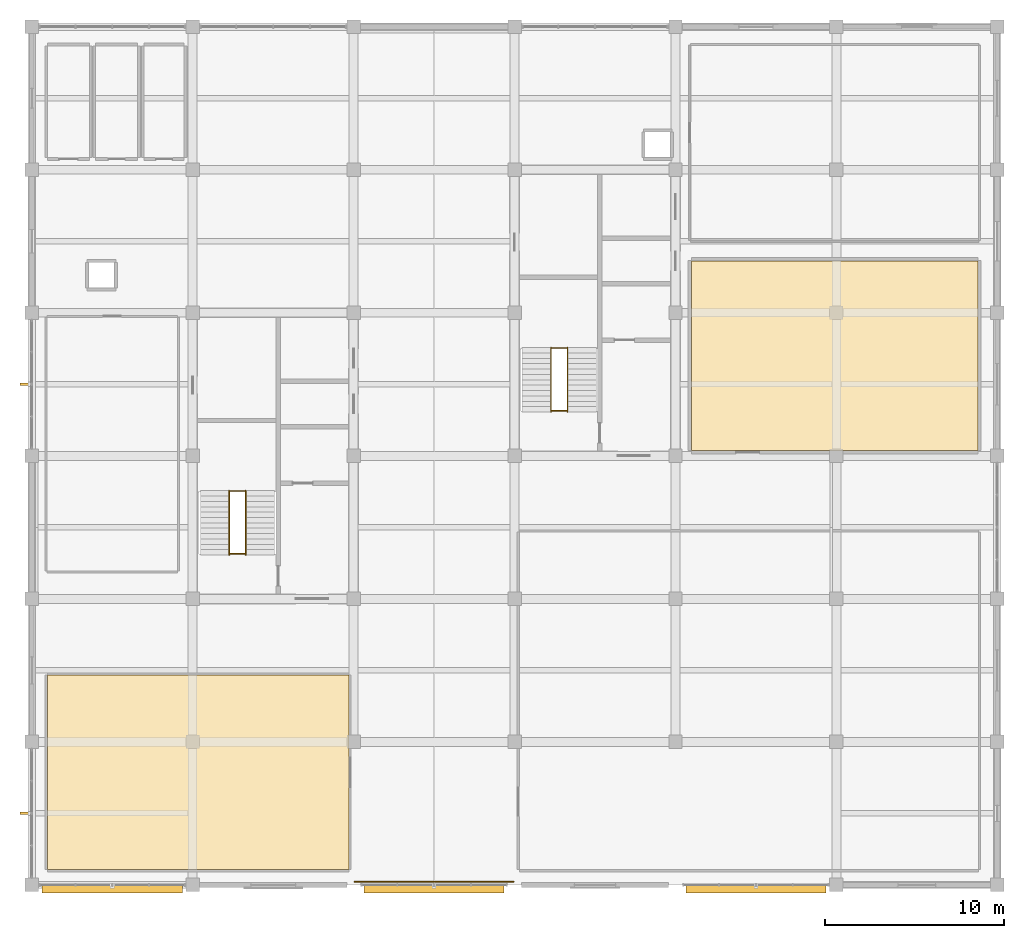
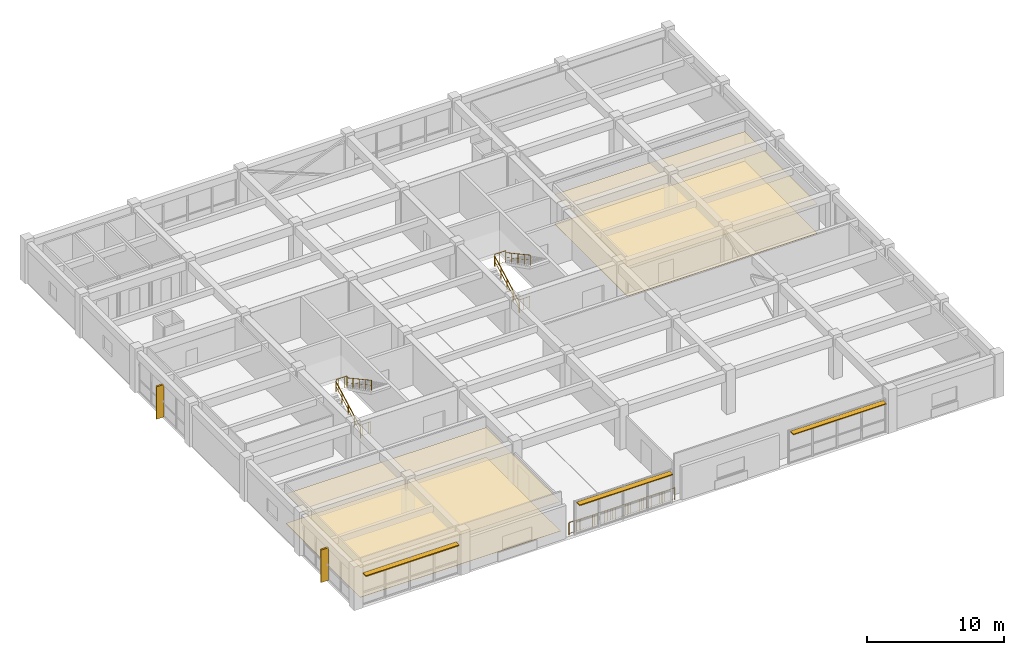
# One storey, part 15 of 15: 9 railings, 5 shading devices, 4 coverings.
"""IFC4 building model written with IfcOpenShell, lengths in metres."""

from ifc_helpers import new_model, si_unit, direction, frame, frame_2d, origin, origin_2d, place, context, subcontext, project, spatial, polyline, rectangle, circle, outline, extrude, material, layer, layer_set, type_object, element, save


model = new_model("IFC4")

# Units and contexts
model_context = context("Model", 3, precision=1e-05, world=origin(), true_north=direction((0.0, 1.0)))
body_context = subcontext(model_context, "Body", "Model", "MODEL_VIEW")
ifc_project = project(units=[si_unit("LENGTHUNIT", "METRE"), si_unit("AREAUNIT", "SQUARE_METRE"), si_unit("VOLUMEUNIT", "CUBIC_METRE"), si_unit("PLANEANGLEUNIT", "RADIAN"), si_unit("MASSUNIT", "GRAM", prefix="KILO")], contexts=[model_context])

# Site, building, storey
site_placement = place(None, origin())
site = spatial("IfcSite", under=ifc_project, at=site_placement, CompositionType="ELEMENT")
building_placement = place(site_placement, origin())
building = spatial("IfcBuilding", under=site, at=building_placement, Name="Zaverband Oceanarium and Marine Research Institute", CompositionType="ELEMENT")
storey_placement = place(building_placement, frame((0.0, 0.0, 49.199951171875)))
storey = spatial("IfcBuildingStorey", under=building, at=storey_placement, Name="L12", CompositionType="ELEMENT", Elevation=49.199951171875)

# Coverings
ifc_material_1 = material(Name="Perforated mineral-fibre acoustic ceiling tile")
ifc_layer_1 = layer(ifc_material_1, 0.02490234375, Name="Perforated mineral-fibre acoustic ceiling tile")
ifc_layer_set_1 = layer_set([ifc_layer_1], Name="Perforated mineral-fibre acoustic ceiling tile")
covering_type_1 = type_object("IfcCoveringType", Name="CLG-AC-15", PredefinedType="CEILING", material=ifc_layer_set_1)
covering_1_placement = place(storey_placement, frame((0.0, 0.0, 2.630126953125)))
element("IfcCovering", 1, at=covering_1_placement, inside=storey, type_object=covering_type_1, Name="Suspended acoustic ceiling CLG-AC-15", PredefinedType="CEILING", context=body_context, shape_type="SweptSolid", body=[
    extrude(outline(polyline([(9.864990234375, 64.864990234375), (26.735107421875, 64.864990234375), (26.735107421875, 75.735107421875), (9.864990234375, 75.735107421875), (9.864990234375, 64.864990234375)])), origin(), (0.0, 0.0, 1.0), 0.02490234375),
])
covering_2_placement = place(storey_placement, frame((0.0, 0.0, 2.630126953125)))
element("IfcCovering", 2, at=covering_2_placement, inside=storey, type_object=covering_type_1, Name="Suspended acoustic ceiling CLG-AC-15", PredefinedType="CEILING", context=body_context, shape_type="SweptSolid", body=[
    extrude(outline(polyline([(45.889892578125, 88.2900390625), (61.909912109375, 88.2900390625), (61.909912109375, 98.909912109375), (45.889892578125, 98.909912109375), (45.889892578125, 88.2900390625)])), origin(), (0.0, 0.0, 1.0), 0.02490234375),
])
ifc_material_2 = material(Name="Polished marine terrazzo and seamless laboratory epoxy flooring")
ifc_layer_2 = layer(ifc_material_2, 0.02490234375, Name="Polished marine terrazzo and seamless laboratory epoxy flooring")
ifc_layer_set_2 = layer_set([ifc_layer_2], Name="Polished marine terrazzo and seamless laboratory epoxy flooring")
covering_type_2 = type_object("IfcCoveringType", Name="FLR-TRZ-20", PredefinedType="FLOORING", material=ifc_layer_set_2)
covering_3_placement = place(storey_placement, origin())
element("IfcCovering", 3, at=covering_3_placement, inside=storey, type_object=covering_type_2, Name="Terrazzo and marine epoxy floor finish FLR-TRZ-20", PredefinedType="FLOORING", context=body_context, shape_type="SweptSolid", body=[
    extrude(outline(polyline([(9.864990234375, 64.864990234375), (26.735107421875, 64.864990234375), (26.735107421875, 75.735107421875), (9.864990234375, 75.735107421875), (9.864990234375, 64.864990234375)])), origin(), (0.0, 0.0, 1.0), 0.025146484375),
])
covering_4_placement = place(storey_placement, origin())
element("IfcCovering", 4, at=covering_4_placement, inside=storey, type_object=covering_type_2, Name="Terrazzo and marine epoxy floor finish FLR-TRZ-20", PredefinedType="FLOORING", context=body_context, shape_type="SweptSolid", body=[
    extrude(outline(polyline([(45.889892578125, 88.2900390625), (61.909912109375, 88.2900390625), (61.909912109375, 98.909912109375), (45.889892578125, 98.909912109375), (45.889892578125, 88.2900390625)])), origin(), (0.0, 0.0, 1.0), 0.025146484375),
])

# Railings
ifc_material_3 = material(Name="Steel S355", Category="steel")
ifc_layer_3 = layer(ifc_material_3, 0.06005859375, Name="Steel S355")
ifc_layer_set_3 = layer_set([ifc_layer_3], Name="Steel S355")
railing_type_1 = type_object("IfcRailingType", Name="GRD-1100", PredefinedType="BALUSTRADE", material=ifc_layer_set_3)
for number, where, name in (
    (5, (20.0400390625, 86.030029296875, 1.949951171875), "1100 mm steel post-and-baluster safety guard GRD-1100"),
    (6, (20.0400390625, 82.530029296875, 0.0), "1100 mm steel post-and-baluster safety guard GRD-1100"),
    (7, (38.0400390625, 94.030029296875, 1.949951171875), "1100 mm steel post-and-baluster safety guard GRD-1100"),
    (8, (38.0400390625, 90.530029296875, 0.0), "1100 mm steel post-and-baluster safety guard GRD-1100"),
):
    element("IfcRailing", number, at=place(storey_placement, frame(where)), inside=storey, type_object=railing_type_1, Name=name, PredefinedType="BALUSTRADE", context=body_context, shape_type="SweptSolid", body=[
        extrude(circle(Radius=0.02392578125, at=origin_2d()), frame((0.0, 0.0, 1.076171875), z_axis=(1.0, 0.0, 0.0), x_axis=(0.0, 1.0, 0.0)), (0.0, 0.0, 1.0), 0.919921875),
        extrude(circle(Radius=0.009033203125, at=origin_2d()), frame((0.0, 0.0, 0.10009765625), z_axis=(1.0, 0.0, 0.0), x_axis=(0.0, 1.0, 0.0)), (0.0, 0.0, 1.0), 0.919921875),
        extrude(circle(Radius=0.009033203125, at=origin_2d()), frame((0.18408203125, 0.0, 0.10009765625)), (0.0, 0.0, 1.0), 0.951904296875),
        extrude(circle(Radius=0.009033203125, at=origin_2d()), frame((0.367919921875, 0.0, 0.10009765625)), (0.0, 0.0, 1.0), 0.951904296875),
        extrude(circle(Radius=0.009033203125, at=origin_2d()), frame((0.552001953125, 0.0, 0.10009765625)), (0.0, 0.0, 1.0), 0.951904296875),
        extrude(circle(Radius=0.009033203125, at=origin_2d()), frame((0.73583984375, 0.0, 0.10009765625)), (0.0, 0.0, 1.0), 0.951904296875),
        extrude(circle(Radius=0.02099609375, at=origin_2d()), origin(), (0.0, 0.0, 1.0), 1.052001953125),
        extrude(circle(Radius=0.02099609375, at=origin_2d()), frame((0.919921875, 0.0, 0.0)), (0.0, 0.0, 1.0), 1.052001953125),
    ])
railing_1_placement = place(storey_placement, frame((27.050048828125, 64.179931640625, 0.0)))
element("IfcRailing", 9, at=railing_1_placement, inside=storey, type_object=railing_type_1, Name="1100 mm steel post-and-baluster safety guard GRD-1100", PredefinedType="BALUSTRADE", context=body_context, shape_type="SweptSolid", body=[
    extrude(circle(Radius=0.02392578125, at=origin_2d()), frame((0.0, 0.0, 1.076171875), z_axis=(1.0, 0.0, 0.0), x_axis=(0.0, 1.0, 0.0)), (0.0, 0.0, 1.0), 8.89990234375),
    extrude(circle(Radius=0.009033203125, at=origin_2d()), frame((0.0, 0.0, 0.10009765625), z_axis=(1.0, 0.0, 0.0), x_axis=(0.0, 1.0, 0.0)), (0.0, 0.0, 1.0), 8.89990234375),
    extrude(circle(Radius=0.009033203125, at=origin_2d()), frame((0.217041015625, 0.0, 0.10009765625)), (0.0, 0.0, 1.0), 0.951904296875),
    extrude(circle(Radius=0.009033203125, at=origin_2d()), frame((0.43408203125, 0.0, 0.10009765625)), (0.0, 0.0, 1.0), 0.951904296875),
    extrude(circle(Radius=0.009033203125, at=origin_2d()), frame((0.651123046875, 0.0, 0.10009765625)), (0.0, 0.0, 1.0), 0.951904296875),
    extrude(circle(Radius=0.009033203125, at=origin_2d()), frame((0.8681640625, 0.0, 0.10009765625)), (0.0, 0.0, 1.0), 0.951904296875),
    extrude(circle(Radius=0.009033203125, at=origin_2d()), frame((1.08544921875, 0.0, 0.10009765625)), (0.0, 0.0, 1.0), 0.951904296875),
    extrude(circle(Radius=0.009033203125, at=origin_2d()), frame((1.302490234375, 0.0, 0.10009765625)), (0.0, 0.0, 1.0), 0.951904296875),
    extrude(circle(Radius=0.009033203125, at=origin_2d()), frame((1.51953125, 0.0, 0.10009765625)), (0.0, 0.0, 1.0), 0.951904296875),
    extrude(circle(Radius=0.009033203125, at=origin_2d()), frame((1.736572265625, 0.0, 0.10009765625)), (0.0, 0.0, 1.0), 0.951904296875),
    extrude(circle(Radius=0.009033203125, at=origin_2d()), frame((1.95361328125, 0.0, 0.10009765625)), (0.0, 0.0, 1.0), 0.951904296875),
    extrude(circle(Radius=0.009033203125, at=origin_2d()), frame((2.170654296875, 0.0, 0.10009765625)), (0.0, 0.0, 1.0), 0.951904296875),
    extrude(circle(Radius=0.009033203125, at=origin_2d()), frame((2.3876953125, 0.0, 0.10009765625)), (0.0, 0.0, 1.0), 0.951904296875),
    extrude(circle(Radius=0.009033203125, at=origin_2d()), frame((2.604736328125, 0.0, 0.10009765625)), (0.0, 0.0, 1.0), 0.951904296875),
    extrude(circle(Radius=0.009033203125, at=origin_2d()), frame((2.822021484375, 0.0, 0.10009765625)), (0.0, 0.0, 1.0), 0.951904296875),
    extrude(circle(Radius=0.009033203125, at=origin_2d()), frame((3.0390625, 0.0, 0.10009765625)), (0.0, 0.0, 1.0), 0.951904296875),
    extrude(circle(Radius=0.009033203125, at=origin_2d()), frame((3.256103515625, 0.0, 0.10009765625)), (0.0, 0.0, 1.0), 0.951904296875),
    extrude(circle(Radius=0.009033203125, at=origin_2d()), frame((3.47314453125, 0.0, 0.10009765625)), (0.0, 0.0, 1.0), 0.951904296875),
    extrude(circle(Radius=0.009033203125, at=origin_2d()), frame((3.690185546875, 0.0, 0.10009765625)), (0.0, 0.0, 1.0), 0.951904296875),
    extrude(circle(Radius=0.009033203125, at=origin_2d()), frame((3.9072265625, 0.0, 0.10009765625)), (0.0, 0.0, 1.0), 0.951904296875),
    extrude(circle(Radius=0.009033203125, at=origin_2d()), frame((4.124267578125, 0.0, 0.10009765625)), (0.0, 0.0, 1.0), 0.951904296875),
    extrude(circle(Radius=0.009033203125, at=origin_2d()), frame((4.34130859375, 0.0, 0.10009765625)), (0.0, 0.0, 1.0), 0.951904296875),
    extrude(circle(Radius=0.009033203125, at=origin_2d()), frame((4.55859375, 0.0, 0.10009765625)), (0.0, 0.0, 1.0), 0.951904296875),
    extrude(circle(Radius=0.009033203125, at=origin_2d()), frame((4.775634765625, 0.0, 0.10009765625)), (0.0, 0.0, 1.0), 0.951904296875),
    extrude(circle(Radius=0.009033203125, at=origin_2d()), frame((4.99267578125, 0.0, 0.10009765625)), (0.0, 0.0, 1.0), 0.951904296875),
    extrude(circle(Radius=0.009033203125, at=origin_2d()), frame((5.209716796875, 0.0, 0.10009765625)), (0.0, 0.0, 1.0), 0.951904296875),
    extrude(circle(Radius=0.009033203125, at=origin_2d()), frame((5.4267578125, 0.0, 0.10009765625)), (0.0, 0.0, 1.0), 0.951904296875),
    extrude(circle(Radius=0.009033203125, at=origin_2d()), frame((5.643798828125, 0.0, 0.10009765625)), (0.0, 0.0, 1.0), 0.951904296875),
    extrude(circle(Radius=0.009033203125, at=origin_2d()), frame((5.86083984375, 0.0, 0.10009765625)), (0.0, 0.0, 1.0), 0.951904296875),
    extrude(circle(Radius=0.009033203125, at=origin_2d()), frame((6.077880859375, 0.0, 0.10009765625)), (0.0, 0.0, 1.0), 0.951904296875),
    extrude(circle(Radius=0.009033203125, at=origin_2d()), frame((6.295166015625, 0.0, 0.10009765625)), (0.0, 0.0, 1.0), 0.951904296875),
    extrude(circle(Radius=0.009033203125, at=origin_2d()), frame((6.51220703125, 0.0, 0.10009765625)), (0.0, 0.0, 1.0), 0.951904296875),
    extrude(circle(Radius=0.009033203125, at=origin_2d()), frame((6.729248046875, 0.0, 0.10009765625)), (0.0, 0.0, 1.0), 0.951904296875),
    extrude(circle(Radius=0.009033203125, at=origin_2d()), frame((6.9462890625, 0.0, 0.10009765625)), (0.0, 0.0, 1.0), 0.951904296875),
    extrude(circle(Radius=0.009033203125, at=origin_2d()), frame((7.163330078125, 0.0, 0.10009765625)), (0.0, 0.0, 1.0), 0.951904296875),
    extrude(circle(Radius=0.009033203125, at=origin_2d()), frame((7.38037109375, 0.0, 0.10009765625)), (0.0, 0.0, 1.0), 0.951904296875),
    extrude(circle(Radius=0.009033203125, at=origin_2d()), frame((7.597412109375, 0.0, 0.10009765625)), (0.0, 0.0, 1.0), 0.951904296875),
    extrude(circle(Radius=0.009033203125, at=origin_2d()), frame((7.814453125, 0.0, 0.10009765625)), (0.0, 0.0, 1.0), 0.951904296875),
    extrude(circle(Radius=0.009033203125, at=origin_2d()), frame((8.03173828125, 0.0, 0.10009765625)), (0.0, 0.0, 1.0), 0.951904296875),
    extrude(circle(Radius=0.009033203125, at=origin_2d()), frame((8.248779296875, 0.0, 0.10009765625)), (0.0, 0.0, 1.0), 0.951904296875),
    extrude(circle(Radius=0.009033203125, at=origin_2d()), frame((8.4658203125, 0.0, 0.10009765625)), (0.0, 0.0, 1.0), 0.951904296875),
    extrude(circle(Radius=0.009033203125, at=origin_2d()), frame((8.682861328125, 0.0, 0.10009765625)), (0.0, 0.0, 1.0), 0.951904296875),
    extrude(circle(Radius=0.02099609375, at=origin_2d()), origin(), (0.0, 0.0, 1.0), 1.052001953125),
    extrude(circle(Radius=0.02099609375, at=origin_2d()), frame((0.98876953125, 0.0, 0.0)), (0.0, 0.0, 1.0), 1.052001953125),
    extrude(circle(Radius=0.02099609375, at=origin_2d()), frame((1.977783203125, 0.0, 0.0)), (0.0, 0.0, 1.0), 1.052001953125),
    extrude(circle(Radius=0.02099609375, at=origin_2d()), frame((2.966552734375, 0.0, 0.0)), (0.0, 0.0, 1.0), 1.052001953125),
    extrude(circle(Radius=0.02099609375, at=origin_2d()), frame((3.95556640625, 0.0, 0.0)), (0.0, 0.0, 1.0), 1.052001953125),
    extrude(circle(Radius=0.02099609375, at=origin_2d()), frame((4.9443359375, 0.0, 0.0)), (0.0, 0.0, 1.0), 1.052001953125),
    extrude(circle(Radius=0.02099609375, at=origin_2d()), frame((5.933349609375, 0.0, 0.0)), (0.0, 0.0, 1.0), 1.052001953125),
    extrude(circle(Radius=0.02099609375, at=origin_2d()), frame((6.922119140625, 0.0, 0.0)), (0.0, 0.0, 1.0), 1.052001953125),
    extrude(circle(Radius=0.02099609375, at=origin_2d()), frame((7.9111328125, 0.0, 0.0)), (0.0, 0.0, 1.0), 1.052001953125),
    extrude(circle(Radius=0.02099609375, at=origin_2d()), frame((8.89990234375, 0.0, 0.0)), (0.0, 0.0, 1.0), 1.052001953125),
])
ifc_layer_4 = layer(ifc_material_3, 0.050048828125, Name="Steel S355")
ifc_layer_set_4 = layer_set([ifc_layer_4], Name="Steel S355")
railing_type_2 = type_object("IfcRailingType", Name="HR-920", PredefinedType="HANDRAIL", material=ifc_layer_set_4)
railing_2_placement = place(storey_placement, frame((20.0400390625, 82.449951171875, 0.0)))
element("IfcRailing", 10, at=railing_2_placement, inside=storey, type_object=railing_type_2, Name="920 mm continuous tubular stair and ramp handrail HR-920", PredefinedType="HANDRAIL", context=body_context, shape_type="SweptSolid", body=[
    extrude(circle(Radius=0.02392578125, at=origin_2d()), frame((0.0, 0.0, 0.89599609375), z_axis=(0.0, 0.879302371543, 0.476263938798), x_axis=(-1.0, 0.0, 0.0)), (0.0, 0.0, 1.0), 4.09423828125),
    extrude(circle(Radius=0.009033203125, at=origin_2d()), frame((0.0, 0.0, 0.4599609375), z_axis=(0.0, 0.879302371543, 0.476263938798), x_axis=(-1.0, 0.0, 0.0)), (0.0, 0.0, 1.0), 4.09423828125),
    extrude(circle(Radius=0.02099609375, at=origin_2d()), origin(), (0.0, 0.0, 1.0), 0.871826171875),
    extrude(circle(Radius=0.02099609375, at=origin_2d()), frame((0.0, 0.89990234375, 0.487548828125)), (0.0, 0.0, 1.0), 0.871826171875),
    extrude(circle(Radius=0.02099609375, at=origin_2d()), frame((0.0, 1.800048828125, 0.97509765625)), (0.0, 0.0, 1.0), 0.871826171875),
    extrude(circle(Radius=0.02099609375, at=origin_2d()), frame((0.0, 2.7001953125, 1.46240234375)), (0.0, 0.0, 1.0), 0.871826171875),
    extrude(circle(Radius=0.02099609375, at=origin_2d()), frame((0.0, 3.60009765625, 1.949951171875)), (0.0, 0.0, 1.0), 0.871826171875),
])
railing_3_placement = place(storey_placement, frame((20.9599609375, 86.050048828125, 1.949951171875)))
element("IfcRailing", 11, at=railing_3_placement, inside=storey, type_object=railing_type_2, Name="920 mm continuous tubular stair and ramp handrail HR-920", PredefinedType="HANDRAIL", context=body_context, shape_type="SweptSolid", body=[
    extrude(circle(Radius=0.02392578125, at=origin_2d()), frame((0.0, 0.0, 0.89599609375), z_axis=(0.0, -0.879277399237, 0.476310041035), x_axis=(1.0, 0.0, 0.0)), (0.0, 0.0, 1.0), 4.094482421875),
    extrude(circle(Radius=0.009033203125, at=origin_2d()), frame((0.0, 0.0, 0.4599609375), z_axis=(0.0, -0.879277399237, 0.476310041035), x_axis=(1.0, 0.0, 0.0)), (0.0, 0.0, 1.0), 4.094482421875),
    extrude(circle(Radius=0.02099609375, at=origin_2d()), origin(), (0.0, 0.0, 1.0), 0.871826171875),
    extrude(circle(Radius=0.02099609375, at=origin_2d()), frame((0.0, -0.89990234375, 0.487548828125)), (0.0, 0.0, 1.0), 0.871826171875),
    extrude(circle(Radius=0.02099609375, at=origin_2d()), frame((0.0, -1.800048828125, 0.97509765625)), (0.0, 0.0, 1.0), 0.871826171875),
    extrude(circle(Radius=0.02099609375, at=origin_2d()), frame((0.0, -2.7001953125, 1.462646484375)), (0.0, 0.0, 1.0), 0.871826171875),
    extrude(circle(Radius=0.02099609375, at=origin_2d()), frame((0.0, -3.60009765625, 1.9501953125)), (0.0, 0.0, 1.0), 0.871826171875),
])
railing_4_placement = place(storey_placement, frame((38.0400390625, 90.449951171875, 0.0)))
element("IfcRailing", 12, at=railing_4_placement, inside=storey, type_object=railing_type_2, Name="920 mm continuous tubular stair and ramp handrail HR-920", PredefinedType="HANDRAIL", context=body_context, shape_type="SweptSolid", body=[
    extrude(circle(Radius=0.02392578125, at=origin_2d()), frame((0.0, 0.0, 0.89599609375), z_axis=(0.0, 0.879302371543, 0.476263938798), x_axis=(-1.0, 0.0, 0.0)), (0.0, 0.0, 1.0), 4.09423828125),
    extrude(circle(Radius=0.009033203125, at=origin_2d()), frame((0.0, 0.0, 0.4599609375), z_axis=(0.0, 0.879302371543, 0.476263938798), x_axis=(-1.0, 0.0, 0.0)), (0.0, 0.0, 1.0), 4.09423828125),
    extrude(circle(Radius=0.02099609375, at=origin_2d()), origin(), (0.0, 0.0, 1.0), 0.871826171875),
    extrude(circle(Radius=0.02099609375, at=origin_2d()), frame((0.0, 0.89990234375, 0.487548828125)), (0.0, 0.0, 1.0), 0.871826171875),
    extrude(circle(Radius=0.02099609375, at=origin_2d()), frame((0.0, 1.800048828125, 0.97509765625)), (0.0, 0.0, 1.0), 0.871826171875),
    extrude(circle(Radius=0.02099609375, at=origin_2d()), frame((0.0, 2.7001953125, 1.46240234375)), (0.0, 0.0, 1.0), 0.871826171875),
    extrude(circle(Radius=0.02099609375, at=origin_2d()), frame((0.0, 3.60009765625, 1.949951171875)), (0.0, 0.0, 1.0), 0.871826171875),
])
railing_5_placement = place(storey_placement, frame((38.9599609375, 94.050048828125, 1.949951171875)))
element("IfcRailing", 13, at=railing_5_placement, inside=storey, type_object=railing_type_2, Name="920 mm continuous tubular stair and ramp handrail HR-920", PredefinedType="HANDRAIL", context=body_context, shape_type="SweptSolid", body=[
    extrude(circle(Radius=0.02392578125, at=origin_2d()), frame((0.0, 0.0, 0.89599609375), z_axis=(0.0, -0.879277399237, 0.476310041035), x_axis=(1.0, 0.0, 0.0)), (0.0, 0.0, 1.0), 4.094482421875),
    extrude(circle(Radius=0.009033203125, at=origin_2d()), frame((0.0, 0.0, 0.4599609375), z_axis=(0.0, -0.879277399237, 0.476310041035), x_axis=(1.0, 0.0, 0.0)), (0.0, 0.0, 1.0), 4.094482421875),
    extrude(circle(Radius=0.02099609375, at=origin_2d()), origin(), (0.0, 0.0, 1.0), 0.871826171875),
    extrude(circle(Radius=0.02099609375, at=origin_2d()), frame((0.0, -0.89990234375, 0.487548828125)), (0.0, 0.0, 1.0), 0.871826171875),
    extrude(circle(Radius=0.02099609375, at=origin_2d()), frame((0.0, -1.800048828125, 0.97509765625)), (0.0, 0.0, 1.0), 0.871826171875),
    extrude(circle(Radius=0.02099609375, at=origin_2d()), frame((0.0, -2.7001953125, 1.462646484375)), (0.0, 0.0, 1.0), 0.871826171875),
    extrude(circle(Radius=0.02099609375, at=origin_2d()), frame((0.0, -3.60009765625, 1.9501953125)), (0.0, 0.0, 1.0), 0.871826171875),
])

# Shading devices
ifc_material_4 = material(Name="Concrete C40/50 precast brise-soleil", Category="concrete")
ifc_layer_5 = layer(ifc_material_4, 0.139892578125, Name="Concrete C40/50 precast brise-soleil")
ifc_layer_set_5 = layer_set([ifc_layer_5], Name="Concrete C40/50 precast brise-soleil")
shading_device_type_1 = type_object("IfcShadingDeviceType", Name="SHD-FIN-600", PredefinedType="JALOUSIE", material=ifc_layer_set_5)
for number, where, z_axis, x_axis, name in (
    (14, (8.93994140625, 68.0, 0.0), (0.0, 0.0, 1.0), (-1.0, 0.0, 0.0), "600 mm vertical precast brise-soleil fin SHD-FIN-600"),
    (15, (8.93994140625, 92.0, 0.0), (0.0, 0.0, 1.0), (-1.0, 0.0, 0.0), "600 mm vertical precast brise-soleil fin SHD-FIN-600"),
):
    element("IfcShadingDevice", number, at=place(storey_placement, frame(where, z_axis=z_axis, x_axis=x_axis)), inside=storey, type_object=shading_device_type_1, Name=name, PredefinedType="JALOUSIE", context=body_context, shape_type="SweptSolid", body=[
        extrude(rectangle(XDim=0.599853515625, YDim=0.139892578125, at=frame_2d((0.2998046875, 0.0))), origin(), (0.0, 0.0, 1.0), 2.900146484375),
    ])
ifc_material_5 = material(Name="Anodized bronze marine-grade aluminium", Category="aluminium")
ifc_layer_6 = layer(ifc_material_5, 0.080078125, Name="Anodized bronze marine-grade aluminium")
ifc_layer_set_6 = layer_set([ifc_layer_6], Name="Anodized bronze marine-grade aluminium")
shading_device_type_2 = type_object("IfcShadingDeviceType", Name="SHD-LVR-450", PredefinedType="USERDEFINED", material=ifc_layer_set_6)
for number, where, z_axis, x_axis, name in (
    (16, (9.580078125, 63.760009765625, 2.77001953125), (0.0, 0.0, 1.0), (1.0, 0.0, 0.0), "450 mm horizontal solar shading louvre SHD-LVR-450"),
    (17, (27.580078125, 63.760009765625, 2.77001953125), (0.0, 0.0, 1.0), (1.0, 0.0, 0.0), "450 mm horizontal solar shading louvre SHD-LVR-450"),
    (18, (45.580078125, 63.760009765625, 2.77001953125), (0.0, 0.0, 1.0), (1.0, 0.0, 0.0), "450 mm horizontal solar shading louvre SHD-LVR-450"),
):
    element("IfcShadingDevice", number, at=place(storey_placement, frame(where, z_axis=z_axis, x_axis=x_axis)), inside=storey, type_object=shading_device_type_2, Name=name, ObjectType="LOUVRE", PredefinedType="USERDEFINED", context=body_context, shape_type="SweptSolid", body=[
        extrude(rectangle(XDim=7.83984375, YDim=0.449951171875, at=frame_2d((3.919921875, 0.0))), origin(), (0.0, 0.0, 1.0), 0.080078125),
    ])

save(model, "model.ifc")
